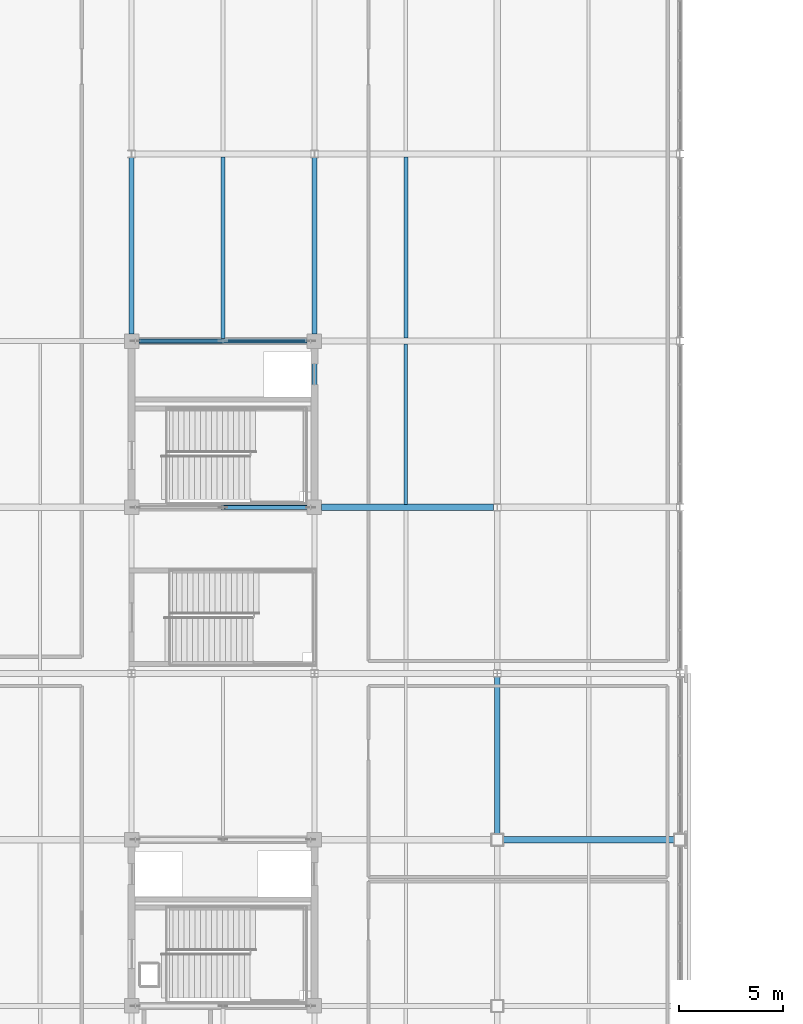
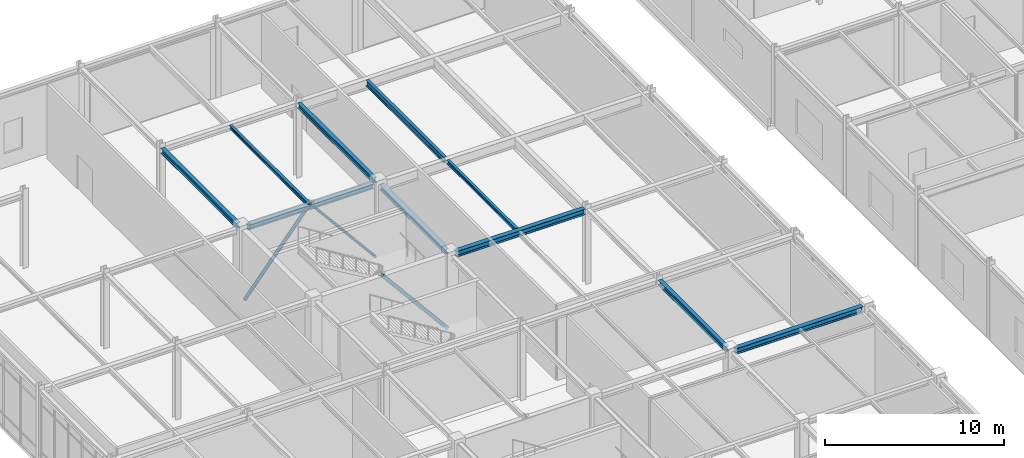
# One storey, part 40 of 108: 10 beams, 3 members.
"""IFC4 building model written with IfcOpenShell, lengths in metres."""

from ifc_helpers import new_model, si_unit, direction, frame, origin, origin_2d, place, context, subcontext, project, spatial, hollow_rectangle, hollow_circle, i_section, extrude, material, material_profile, profile_set, type_object, element, save


model = new_model("IFC4")

# Units and contexts
model_context = context("Model", 3, precision=1e-05, world=origin(), true_north=direction((0.0, 1.0)))
body_context = subcontext(model_context, "Body", "Model", "MODEL_VIEW")
ifc_project = project(units=[si_unit("LENGTHUNIT", "METRE"), si_unit("AREAUNIT", "SQUARE_METRE"), si_unit("VOLUMEUNIT", "CUBIC_METRE"), si_unit("PLANEANGLEUNIT", "RADIAN"), si_unit("MASSUNIT", "GRAM", prefix="KILO")], contexts=[model_context])

# Site, building, storey
site_placement = place(None, origin())
site = spatial("IfcSite", under=ifc_project, at=site_placement, CompositionType="ELEMENT")
building_placement = place(site_placement, origin())
building = spatial("IfcBuilding", under=site, at=building_placement, Name="Zhaolan Boulevard Law Courts", CompositionType="ELEMENT")
storey_placement = place(building_placement, frame((0.0, 0.0, 10.800048828125)))
storey = spatial("IfcBuildingStorey", under=building, at=storey_placement, Name="L02", CompositionType="ELEMENT", Elevation=10.800048828125)

# Members
ifc_material_1 = material(Name="Structural steel Q355B", Category="steel")
ifc_material_profile_1 = material_profile(ifc_material_1, hollow_circle(Radius=0.109619140625, WallThickness=0.008056640625, at=origin_2d()), Name="CHS219x8")
ifc_profile_set_1 = profile_set([ifc_material_profile_1], Name="Structural steel Q355B")
member_type_1 = type_object("IfcMemberType", Name="BRACE CHS219", PredefinedType="BRACE", material=ifc_profile_set_1)
member_1_placement = place(storey_placement, frame((17.780029296875, 94.0, 0.030029296875), z_axis=(0.638257420724, 0.0, 0.769823008808), x_axis=(0.0, 1.0, 0.0)))
element("IfcMember", 1, at=member_1_placement, inside=storey, type_object=member_type_1, Name="Core Brace BR-L1-L02-N1", PredefinedType="BRACE", context=body_context, shape_type="SweptSolid", body=[
    extrude(hollow_circle(Radius=0.109619140625, WallThickness=0.008056640625, at=origin_2d()), origin(), (0.0, 0.0, 1.0), 6.61181640625),
])
ifc_material_2 = material(Name="Structural steel Q355B", Category="steel")
ifc_material_profile_2 = material_profile(ifc_material_2, hollow_rectangle(XDim=0.219970703125, YDim=0.219970703125, WallThickness=0.010009765625, InnerFilletRadius=0.010009765625, OuterFilletRadius=0.02001953125, at=origin_2d()), Name="HSS220x220x10")
ifc_profile_set_2 = profile_set([ifc_material_profile_2], Name="Structural steel Q355B")
member_type_2 = type_object("IfcMemberType", Name="BRACE HSS220", PredefinedType="BRACE", material=ifc_profile_set_2)
member_2_placement = place(storey_placement, frame((26.219970703125, 86.0, 0.030029296875), z_axis=(-0.638257420724, 0.0, 0.769823008808), x_axis=(0.0, -1.0, 0.0)))
element("IfcMember", 2, at=member_2_placement, inside=storey, type_object=member_type_2, Name="Core Brace BR-L1-L02-S2", PredefinedType="BRACE", context=body_context, shape_type="SweptSolid", body=[
    extrude(hollow_rectangle(XDim=0.219970703125, YDim=0.219970703125, WallThickness=0.010009765625, InnerFilletRadius=0.010009765625, OuterFilletRadius=0.02001953125, at=origin_2d()), origin(), (0.0, 0.0, 1.0), 6.61181640625),
])

# Beams
ifc_material_3 = material(Name="Structural steel Q355B", Category="steel")
ifc_material_profile_3 = material_profile(ifc_material_3, i_section(OverallWidth=0.25, OverallDepth=0.340087890625, WebThickness=0.009033203125, FlangeThickness=0.013916015625, FilletRadius=0.01611328125, at=origin_2d()), Name="HM340x250")
ifc_profile_set_3 = profile_set([ifc_material_profile_3], Name="Structural steel Q355B")
beam_type_1 = type_object("IfcBeamType", Name="GIRDER HM340", PredefinedType="BEAM", material=ifc_profile_set_3)
beam_1_placement = place(storey_placement, frame((17.60009765625, 94.345947265625, 4.947998046875), z_axis=(0.0, 1.0, 0.0), x_axis=(-1.0, 0.0, 0.0)))
element("IfcBeam", 3, at=beam_1_placement, inside=storey, type_object=beam_type_1, Name="Beam BY-L03-3-N-P", PredefinedType="BEAM", context=body_context, shape_type="SweptSolid", body=[
    extrude(i_section(OverallWidth=0.25, OverallDepth=0.340087890625, WebThickness=0.009033203125, FlangeThickness=0.013916015625, FilletRadius=0.01611328125, at=origin_2d()), origin(), (0.0, 0.0, 1.0), 8.483154296875),
])
beam_2_placement = place(storey_placement, frame((26.39990234375, 86.345947265625, 4.947998046875), z_axis=(0.0, 1.0, 0.0), x_axis=(-1.0, 0.0, 0.0)))
element("IfcBeam", 4, at=beam_2_placement, inside=storey, type_object=beam_type_1, Name="Beam BY-L03-4-M-N", PredefinedType="BEAM", context=body_context, shape_type="SweptSolid", body=[
    extrude(i_section(OverallWidth=0.25, OverallDepth=0.340087890625, WebThickness=0.009033203125, FlangeThickness=0.013916015625, FilletRadius=0.01611328125, at=origin_2d()), origin(), (0.0, 0.0, 1.0), 7.30810546875),
])
beam_3_placement = place(storey_placement, frame((26.39990234375, 94.345947265625, 4.947998046875), z_axis=(0.0, 1.0, 0.0), x_axis=(-1.0, 0.0, 0.0)))
element("IfcBeam", 5, at=beam_3_placement, inside=storey, type_object=beam_type_1, Name="Beam BY-L03-4-N-P", PredefinedType="BEAM", context=body_context, shape_type="SweptSolid", body=[
    extrude(i_section(OverallWidth=0.25, OverallDepth=0.340087890625, WebThickness=0.009033203125, FlangeThickness=0.013916015625, FilletRadius=0.01611328125, at=origin_2d()), origin(), (0.0, 0.0, 1.0), 8.483154296875),
])
beam_4_placement = place(storey_placement, frame((35.199951171875, 70.2958984375, 4.968017578125), z_axis=(0.0, 1.0, 0.0), x_axis=(-1.0, 0.0, 0.0)))
element("IfcBeam", 6, at=beam_4_placement, inside=storey, type_object=beam_type_1, Name="Beam BY-L03-5-K-L", PredefinedType="BEAM", context=body_context, shape_type="SweptSolid", body=[
    extrude(i_section(OverallWidth=0.25, OverallDepth=0.340087890625, WebThickness=0.009033203125, FlangeThickness=0.013916015625, FilletRadius=0.01611328125, at=origin_2d()), origin(), (0.0, 0.0, 1.0), 7.533203125),
])
ifc_material_4 = material(Name="Structural steel Q355B", Category="steel")
ifc_material_profile_4 = material_profile(ifc_material_4, i_section(OverallWidth=0.300048828125, OverallDepth=0.389892578125, WebThickness=0.010009765625, FlangeThickness=0.01611328125, FilletRadius=0.01806640625, at=origin_2d()), Name="HM390x300")
ifc_profile_set_4 = profile_set([ifc_material_profile_4], Name="Structural steel Q355B")
beam_type_2 = type_object("IfcBeamType", Name="GIRDER HM390", PredefinedType="BEAM", material=ifc_profile_set_4)
beam_5_placement = place(storey_placement, frame((35.49609375, 70.0, 4.94287109375), z_axis=(1.0, 0.0, 0.0), x_axis=(0.0, 1.0, 0.0)))
element("IfcBeam", 7, at=beam_5_placement, inside=storey, type_object=beam_type_2, Name="Beam BX-L03-5-6-K", PredefinedType="BEAM", context=body_context, shape_type="SweptSolid", body=[
    extrude(i_section(OverallWidth=0.300048828125, OverallDepth=0.389892578125, WebThickness=0.010009765625, FlangeThickness=0.01611328125, FilletRadius=0.01806640625, at=origin_2d()), origin(), (0.0, 0.0, 1.0), 8.2080078125),
])
beam_6_placement = place(storey_placement, frame((26.74609375, 86.0, 4.9228515625), z_axis=(1.0, 0.0, 0.0), x_axis=(0.0, 1.0, 0.0)))
element("IfcBeam", 8, at=beam_6_placement, inside=storey, type_object=beam_type_2, Name="Beam BX-L03-4-5-M", PredefinedType="BEAM", context=body_context, shape_type="SweptSolid", body=[
    extrude(i_section(OverallWidth=0.300048828125, OverallDepth=0.389892578125, WebThickness=0.010009765625, FlangeThickness=0.01611328125, FilletRadius=0.01806640625, at=origin_2d()), origin(), (0.0, 0.0, 1.0), 8.282958984375),
])
ifc_material_5 = material(Name="Structural steel Q355B", Category="steel")
ifc_material_profile_5 = material_profile(ifc_material_5, i_section(OverallWidth=0.175048828125, OverallDepth=0.243896484375, WebThickness=0.007080078125, FlangeThickness=0.010986328125, FilletRadius=0.012939453125, at=origin_2d()), Name="HM244x175")
ifc_profile_set_5 = profile_set([ifc_material_profile_5], Name="Structural steel Q355B")
beam_type_3 = type_object("IfcBeamType", Name="JOIST HM244", PredefinedType="JOIST", material=ifc_profile_set_5)
beam_7_placement = place(storey_placement, frame((22.0, 94.12109375, 4.995849609375), z_axis=(0.0, 1.0, 0.0), x_axis=(-1.0, 0.0, 0.0)))
element("IfcBeam", 9, at=beam_7_placement, inside=storey, type_object=beam_type_3, Name="Composite Joist J-L03-3N", PredefinedType="JOIST", context=body_context, shape_type="SweptSolid", body=[
    extrude(i_section(OverallWidth=0.175048828125, OverallDepth=0.243896484375, WebThickness=0.007080078125, FlangeThickness=0.010986328125, FilletRadius=0.012939453125, at=origin_2d()), origin(), (0.0, 0.0, 1.0), 8.73291015625),
])
beam_8_placement = place(storey_placement, frame((30.800048828125, 86.14599609375, 4.995849609375), z_axis=(0.0, 1.0, 0.0), x_axis=(-1.0, 0.0, 0.0)))
element("IfcBeam", 10, at=beam_8_placement, inside=storey, type_object=beam_type_3, Name="Composite Joist J-L03-4M", PredefinedType="JOIST", context=body_context, shape_type="SweptSolid", body=[
    extrude(i_section(OverallWidth=0.175048828125, OverallDepth=0.243896484375, WebThickness=0.007080078125, FlangeThickness=0.010986328125, FilletRadius=0.012939453125, at=origin_2d()), origin(), (0.0, 0.0, 1.0), 7.7080078125),
])
ifc_material_6 = material(Name="Structural steel Q355B", Category="steel")
ifc_material_profile_6 = material_profile(ifc_material_6, i_section(OverallWidth=0.199951171875, OverallDepth=0.39990234375, WebThickness=0.008056640625, FlangeThickness=0.012939453125, FilletRadius=0.013916015625, at=origin_2d()), Name="HN400x200")
ifc_profile_set_6 = profile_set([ifc_material_profile_6], Name="Structural steel Q355B")
beam_type_4 = type_object("IfcBeamType", Name="JOIST HN400", PredefinedType="JOIST", material=ifc_profile_set_6)
beam_9_placement = place(storey_placement, frame((30.800048828125, 94.14599609375, 4.91796875), z_axis=(0.0, 1.0, 0.0), x_axis=(-1.0, 0.0, 0.0)))
element("IfcBeam", 11, at=beam_9_placement, inside=storey, type_object=beam_type_4, Name="Composite Joist J-L03-4N", PredefinedType="JOIST", context=body_context, shape_type="SweptSolid", body=[
    extrude(i_section(OverallWidth=0.199951171875, OverallDepth=0.39990234375, WebThickness=0.008056640625, FlangeThickness=0.012939453125, FilletRadius=0.013916015625, at=origin_2d()), origin(), (0.0, 0.0, 1.0), 8.7080078125),
])
ifc_material_7 = material(Name="Structural steel Q355B", Category="steel")
ifc_material_profile_7 = material_profile(ifc_material_7, i_section(OverallWidth=0.25, OverallDepth=0.340087890625, WebThickness=0.009033203125, FlangeThickness=0.013916015625, FilletRadius=0.01611328125, at=origin_2d()), Name="HM340x250")
ifc_profile_set_7 = profile_set([ifc_material_profile_7], Name="Structural steel Q355B")
beam_type_5 = type_object("IfcBeamType", Name="SPANDREL HM340", PredefinedType="SPANDREL", material=ifc_profile_set_7)
beam_10_placement = place(storey_placement, frame((17.946044921875, 94.0, 4.947998046875), z_axis=(1.0, 0.0, 0.0), x_axis=(0.0, 1.0, 0.0)))
element("IfcBeam", 12, at=beam_10_placement, inside=storey, type_object=beam_type_5, Name="Beam BX-L03-3-4-N", PredefinedType="SPANDREL", context=body_context, shape_type="SweptSolid", body=[
    extrude(i_section(OverallWidth=0.25, OverallDepth=0.340087890625, WebThickness=0.009033203125, FlangeThickness=0.013916015625, FilletRadius=0.01611328125, at=origin_2d()), origin(), (0.0, 0.0, 1.0), 8.10791015625),
])

# Member
ifc_material_8 = material(Name="Structural steel Q355B", Category="steel")
ifc_material_profile_8 = material_profile(ifc_material_8, hollow_circle(Radius=0.083984375, WallThickness=0.008056640625, at=origin_2d()), Name="CHS168x8")
ifc_profile_set_8 = profile_set([ifc_material_profile_8], Name="Structural steel Q355B")
member_type_3 = type_object("IfcMemberType", Name="STRUT CHS168", PredefinedType="BRACE", material=ifc_profile_set_8)
member_3_placement = place(storey_placement, frame((26.219970703125, 94.0, 0.030029296875), z_axis=(-0.638257420724, 0.0, 0.769823008808), x_axis=(0.0, -1.0, 0.0)))
element("IfcMember", 13, at=member_3_placement, inside=storey, type_object=member_type_3, Name="Core Brace BR-L1-L02-N2", PredefinedType="BRACE", context=body_context, shape_type="SweptSolid", body=[
    extrude(hollow_circle(Radius=0.083984375, WallThickness=0.008056640625, at=origin_2d()), origin(), (0.0, 0.0, 1.0), 6.61181640625),
])

save(model, "model.ifc")
